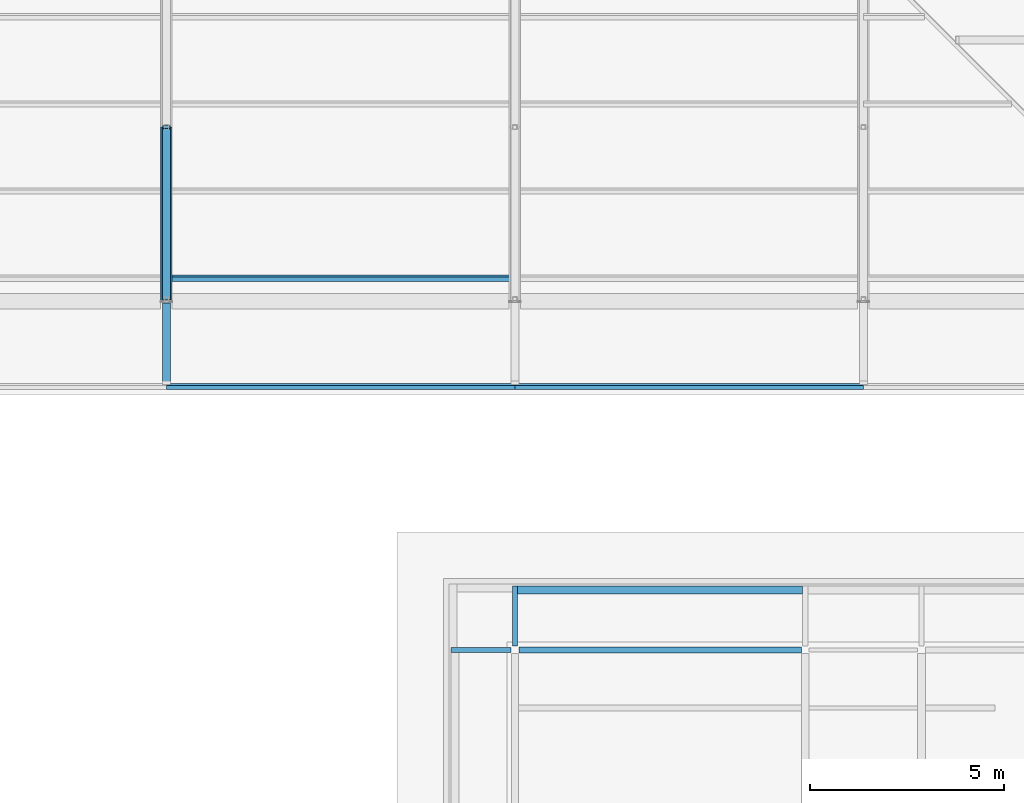
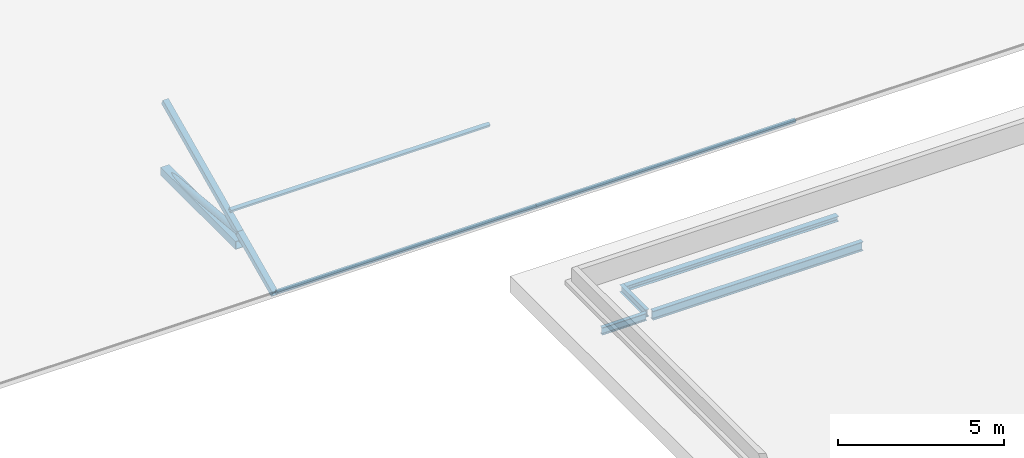
# One storey, part 60 of 154: 7 members, 4 beams.
"""IFC4 building model written with IfcOpenShell, lengths in metres."""

from ifc_helpers import new_model, si_unit, direction, frame, origin, origin_2d, place, context, subcontext, project, spatial, hollow_rectangle, hollow_circle, i_section, extrude, material, material_profile, profile_set, type_object, element, save


model = new_model("IFC4")

# Units and contexts
model_context = context("Model", 3, precision=1e-05, world=origin(), true_north=direction((0.0, 1.0)))
body_context = subcontext(model_context, "Body", "Model", "MODEL_VIEW")
ifc_project = project(units=[si_unit("LENGTHUNIT", "METRE"), si_unit("AREAUNIT", "SQUARE_METRE"), si_unit("VOLUMEUNIT", "CUBIC_METRE"), si_unit("PLANEANGLEUNIT", "RADIAN"), si_unit("MASSUNIT", "GRAM", prefix="KILO")], contexts=[model_context])

# Site, building, storey
site_placement = place(None, origin())
site = spatial("IfcSite", under=ifc_project, at=site_placement, CompositionType="ELEMENT")
building_placement = place(site_placement, origin())
building = spatial("IfcBuilding", under=site, at=building_placement, Name="Golden Quay Civic Hall", CompositionType="ELEMENT")
storey_placement = place(building_placement, frame((0.0, 0.0, 14.39990234375)))
storey = spatial("IfcBuildingStorey", under=building, at=storey_placement, Name="L03", CompositionType="ELEMENT", Elevation=14.39990234375)

# Beams
ifc_material_1 = material(Name="Steel S355", Category="steel")
ifc_material_profile_1 = material_profile(ifc_material_1, i_section(OverallWidth=0.199951171875, OverallDepth=0.18994140625, WebThickness=0.006591796875, FlangeThickness=0.010009765625, FilletRadius=0.01806640625, at=origin_2d()), Name="HEA 200")
ifc_profile_set_1 = profile_set([ifc_material_profile_1], Name="Steel S355")
beam_type_1 = type_object("IfcBeamType", Name="Eave edge beam HEA 200", PredefinedType="BEAM", material=ifc_profile_set_1)
beam_1_placement = place(storey_placement, frame((153.0673828125, 55.550048828125, -0.344970703125), z_axis=(1.0, 0.0, 0.0), x_axis=(0.0, 1.0, 0.0)))
element("IfcBeam", 1, at=beam_1_placement, inside=storey, type_object=beam_type_1, Name="Eave edge beam HEA 200 L03 8", PredefinedType="BEAM", context=body_context, shape_type="SweptSolid", body=[
    extrude(i_section(OverallWidth=0.199951171875, OverallDepth=0.18994140625, WebThickness=0.006591796875, FlangeThickness=0.010009765625, FilletRadius=0.01806640625, at=origin_2d()), origin(), (0.0, 0.0, 1.0), 7.365234375),
])
ifc_material_2 = material(Name="Steel S355", Category="steel")
ifc_material_profile_2 = material_profile(ifc_material_2, i_section(OverallWidth=0.135009765625, OverallDepth=0.27001953125, WebThickness=0.006591796875, FlangeThickness=0.01025390625, FilletRadius=0.014892578125, at=origin_2d()), Name="IPE 270")
ifc_profile_set_2 = profile_set([ifc_material_profile_2], Name="Steel S355")
beam_type_2 = type_object("IfcBeamType", Name="Eave stub IPE 270", PredefinedType="BEAM", material=ifc_profile_set_2)
beam_2_placement = place(storey_placement, frame((152.89990234375, 54.0, -0.385009765625), z_axis=(-1.0, 0.0, 0.0), x_axis=(0.0, -1.0, 0.0)))
element("IfcBeam", 2, at=beam_2_placement, inside=storey, type_object=beam_type_2, Name="Eave stub IPE 270 L03 8", PredefinedType="BEAM", context=body_context, shape_type="SweptSolid", body=[
    extrude(i_section(OverallWidth=0.135009765625, OverallDepth=0.27001953125, WebThickness=0.006591796875, FlangeThickness=0.01025390625, FilletRadius=0.014892578125, at=origin_2d()), origin(), (0.0, 0.0, 1.0), 1.5498046875),
])
beam_3_placement = place(storey_placement, frame((153.0, 54.094970703125, -0.385009765625), z_axis=(0.0, 1.0, 0.0), x_axis=(-1.0, 0.0, 0.0)))
element("IfcBeam", 3, at=beam_3_placement, inside=storey, type_object=beam_type_2, Name="Eave stub IPE 270 L03 9", PredefinedType="BEAM", context=body_context, shape_type="SweptSolid", body=[
    extrude(i_section(OverallWidth=0.135009765625, OverallDepth=0.27001953125, WebThickness=0.006591796875, FlangeThickness=0.01025390625, FilletRadius=0.014892578125, at=origin_2d()), origin(), (0.0, 0.0, 1.0), 1.554931640625),
])
ifc_material_3 = material(Name="Steel S355", Category="steel")
ifc_material_profile_3 = material_profile(ifc_material_3, i_section(OverallWidth=0.159912109375, OverallDepth=0.330078125, WebThickness=0.007568359375, FlangeThickness=0.011474609375, FilletRadius=0.01806640625, at=origin_2d()), Name="IPE 330")
ifc_profile_set_3 = profile_set([ifc_material_profile_3], Name="Steel S355")
beam_type_3 = type_object("IfcBeamType", Name="Steel beam IPE 330", PredefinedType="BEAM", material=ifc_profile_set_3)
beam_4_placement = place(storey_placement, frame((153.10009765625, 54.0, -0.414794921875), z_axis=(1.0, 0.0, 0.0), x_axis=(0.0, 1.0, 0.0)))
element("IfcBeam", 4, at=beam_4_placement, inside=storey, type_object=beam_type_3, Name="Beam S54-153", PredefinedType="BEAM", context=body_context, shape_type="SweptSolid", body=[
    extrude(i_section(OverallWidth=0.159912109375, OverallDepth=0.330078125, WebThickness=0.007568359375, FlangeThickness=0.011474609375, FilletRadius=0.01806640625, at=origin_2d()), origin(), (0.0, 0.0, 1.0), 7.2998046875),
])

# Members
ifc_material_4 = material(Name="Steel S355", Category="steel")
ifc_material_profile_4 = material_profile(ifc_material_4, hollow_rectangle(XDim=0.1201171875, YDim=0.1201171875, WallThickness=0.008056640625, at=origin_2d()), Name="SHS 120x120x8")
ifc_profile_set_4 = profile_set([ifc_material_profile_4], Name="Steel S355")
member_type_1 = type_object("IfcMemberType", Name="Steel roof purlin SHS 120x120x8", PredefinedType="PURLIN", material=ifc_profile_set_4)
for number, where, z_axis, x_axis, name in (
    (5, (144.0, 60.800048828125, -0.521240234375), (1.0, 0.0, 0.0), (0.0, 0.906307787037, 0.422618261741), "Purlin south 1-4 L03"),
    (6, (153.0, 60.800048828125, -0.521240234375), (1.0, 0.0, 0.0), (0.0, 0.906307787037, 0.422618261741), "Purlin south 1-5 L03"),
    (7, (144.0, 63.60009765625, 0.784423828125), (1.0, 0.0, 0.0), (0.0, 0.906307787037, 0.422618261741), "Purlin south 2-4 L03"),
):
    element("IfcMember", number, at=place(storey_placement, frame(where, z_axis=z_axis, x_axis=x_axis)), inside=storey, type_object=member_type_1, Name=name, PredefinedType="PURLIN", context=body_context, shape_type="SweptSolid", body=[
        extrude(hollow_rectangle(XDim=0.1201171875, YDim=0.1201171875, WallThickness=0.008056640625, at=origin_2d()), origin(), (0.0, 0.0, 1.0), 9.0),
    ])
ifc_material_5 = material(Name="Steel S355", Category="steel")
ifc_material_profile_5 = material_profile(ifc_material_5, hollow_rectangle(XDim=0.300048828125, YDim=0.300048828125, WallThickness=0.01611328125, at=origin_2d()), Name="SHS 300x300x16")
ifc_profile_set_5 = profile_set([ifc_material_profile_5], Name="Steel S355")
member_type_2 = type_object("IfcMemberType", Name="Steel truss bottom chord SHS 300x300x16", PredefinedType="USERDEFINED", material=ifc_profile_set_5)
member_1_placement = place(storey_placement, frame((144.0, 63.0, -0.099853515625), z_axis=(0.0, 1.0, 0.0), x_axis=(-1.0, 0.0, 0.0)))
element("IfcMember", 8, at=member_1_placement, inside=storey, type_object=member_type_2, Name="Truss 144 bottom chord 1 L03", ObjectType="TRUSS BOTTOM CHORD", PredefinedType="USERDEFINED", context=body_context, shape_type="SweptSolid", body=[
    extrude(hollow_rectangle(XDim=0.300048828125, YDim=0.300048828125, WallThickness=0.01611328125, at=origin_2d()), origin(), (0.0, 0.0, 1.0), 4.5),
])
ifc_material_6 = material(Name="Steel S355", Category="steel")
ifc_material_profile_6 = material_profile(ifc_material_6, hollow_circle(Radius=0.109619140625, WallThickness=0.010009765625, at=origin_2d()), Name="CHS 219.1x10")
ifc_profile_set_6 = profile_set([ifc_material_profile_6], Name="Steel S355")
member_type_3 = type_object("IfcMemberType", Name="Steel truss diagonal CHS 219.1x10", PredefinedType="BRACE", material=ifc_profile_set_6)
member_2_placement = place(storey_placement, frame((144.0, 63.0, 0.327880859375), z_axis=(0.0, 0.995512933083, -0.094625578275), x_axis=(-1.0, 0.0, 0.0)))
element("IfcMember", 9, at=member_2_placement, inside=storey, type_object=member_type_3, Name="Truss 144 diagonal 1 L03", PredefinedType="BRACE", context=body_context, shape_type="SweptSolid", body=[
    extrude(hollow_circle(Radius=0.109619140625, WallThickness=0.010009765625, at=origin_2d()), origin(), (0.0, 0.0, 1.0), 4.520263671875),
])
ifc_material_7 = material(Name="Steel S355", Category="steel")
ifc_material_profile_7 = material_profile(ifc_material_7, hollow_rectangle(XDim=0.199951171875, YDim=0.199951171875, WallThickness=0.010009765625, at=origin_2d()), Name="SHS 200x200x10")
ifc_profile_set_7 = profile_set([ifc_material_profile_7], Name="Steel S355")
member_type_4 = type_object("IfcMemberType", Name="Steel truss top chord SHS 200x200x10", PredefinedType="USERDEFINED", material=ifc_profile_set_7)
member_3_placement = place(storey_placement, frame((144.0, 60.89990234375, -0.651123046875), z_axis=(0.0, 0.906355341487, 0.42251626591), x_axis=(-1.0, 0.0, 0.0)))
element("IfcMember", 10, at=member_3_placement, inside=storey, type_object=member_type_4, Name="Truss 144 top chord 1 L03", ObjectType="TRUSS TOP CHORD", PredefinedType="USERDEFINED", context=body_context, shape_type="SweptSolid", body=[
    extrude(hollow_rectangle(XDim=0.199951171875, YDim=0.199951171875, WallThickness=0.010009765625, at=origin_2d()), origin(), (0.0, 0.0, 1.0), 2.317138671875),
])
member_4_placement = place(storey_placement, frame((144.0, 63.0, 0.327880859375), z_axis=(0.0, 0.906288628397, 0.422659345144), x_axis=(-1.0, 0.0, 0.0)))
element("IfcMember", 11, at=member_4_placement, inside=storey, type_object=member_type_4, Name="Truss 144 top chord 2 L03", ObjectType="TRUSS TOP CHORD", PredefinedType="USERDEFINED", context=body_context, shape_type="SweptSolid", body=[
    extrude(hollow_rectangle(XDim=0.199951171875, YDim=0.199951171875, WallThickness=0.010009765625, at=origin_2d()), origin(), (0.0, 0.0, 1.0), 4.96533203125),
])

save(model, "model.ifc")
